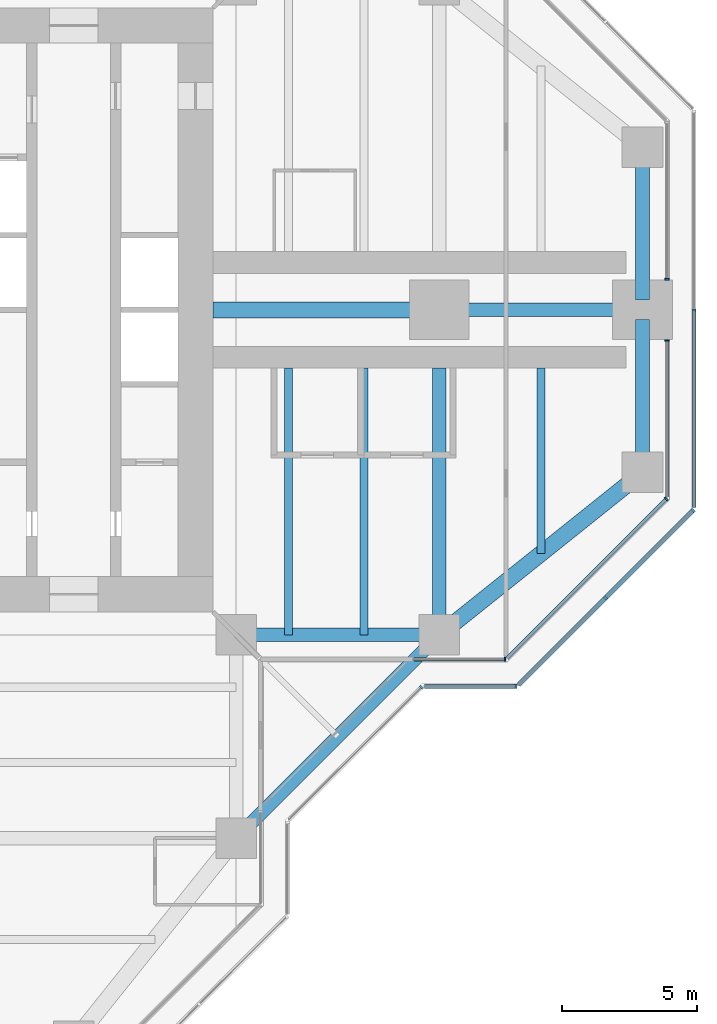
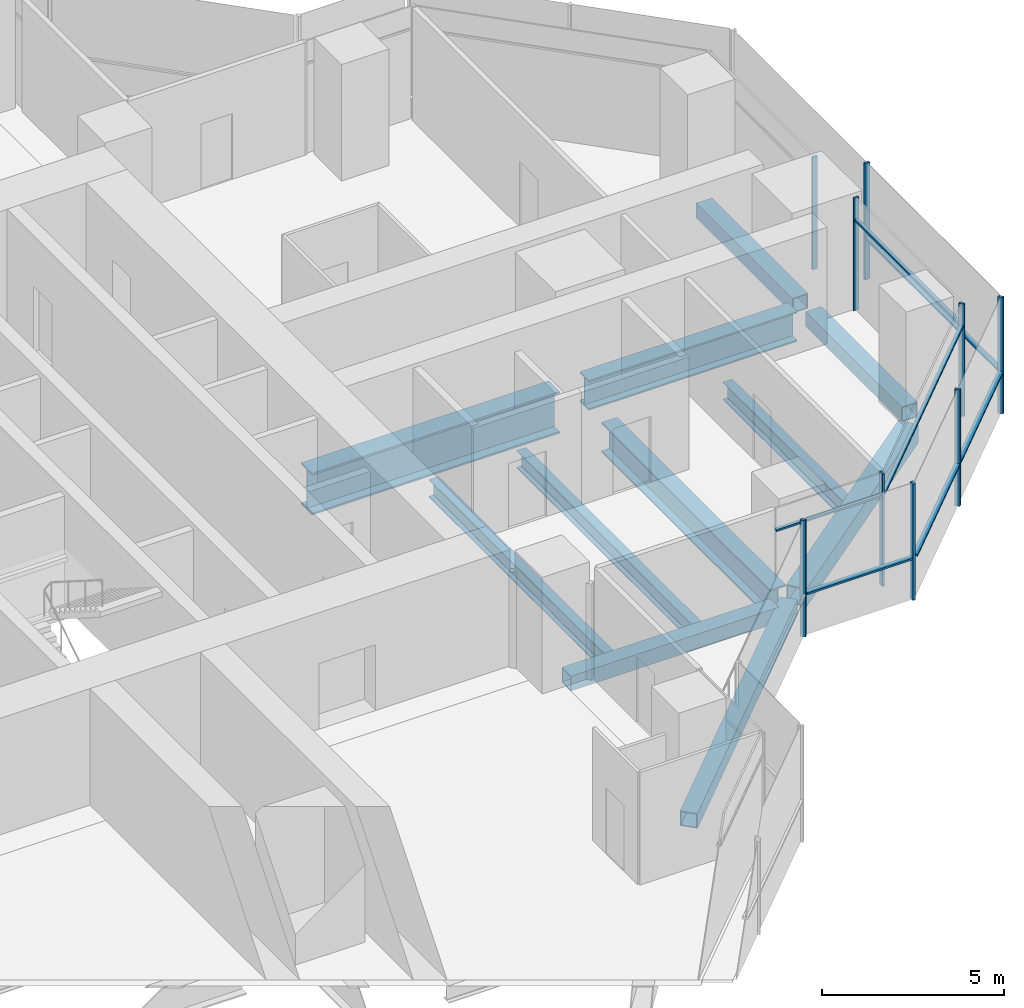
# One storey, part 5 of 17: 16 members, 11 beams, 8 elements without a shape of their own.
"""IFC4 building model written with IfcOpenShell, lengths in metres."""

from ifc_helpers import new_model, si_unit, direction, frame, origin, origin_2d, place, context, subcontext, project, spatial, rectangle, hollow_rectangle, i_section, extrude, material, material_profile, profile_set, type_object, element, aggregate, save


model = new_model("IFC4")

# Units and contexts
model_context = context("Model", 3, precision=1e-05, world=origin(), true_north=direction((0.0, 1.0)))
body_context = subcontext(model_context, "Body", "Model", "MODEL_VIEW")
ifc_project = project(units=[si_unit("LENGTHUNIT", "METRE"), si_unit("AREAUNIT", "SQUARE_METRE"), si_unit("VOLUMEUNIT", "CUBIC_METRE"), si_unit("PLANEANGLEUNIT", "RADIAN"), si_unit("MASSUNIT", "GRAM", prefix="KILO")], contexts=[model_context])

# Site, building, storey
site_placement = place(None, origin())
site = spatial("IfcSite", under=ifc_project, at=site_placement, CompositionType="ELEMENT")
building_placement = place(site_placement, origin())
building = spatial("IfcBuilding", under=site, at=building_placement, Name="Mizan Broadcast Tower", CompositionType="ELEMENT")
storey_placement = place(building_placement, frame((0.0, 0.0, 232.199951171875)))
storey = spatial("IfcBuildingStorey", under=building, at=storey_placement, Name="L54", CompositionType="ELEMENT", Elevation=232.199951171875)

# Beams
ifc_material_1 = material(Name="Steel S355", Category="steel")
ifc_material_profile_1 = material_profile(ifc_material_1, hollow_rectangle(XDim=0.5, YDim=0.5, WallThickness=0.030029296875, at=origin_2d()), Name="BOX 500x500x30")
ifc_profile_set_1 = profile_set([ifc_material_profile_1], Name="Steel S355")
beam_type_1 = type_object("IfcBeamType", Name="EDGE BEAM BOX 500x500x30", PredefinedType="SPANDREL", material=ifc_profile_set_1)
beam_1_placement = place(storey_placement, frame((12.449951171875, -12.0, -0.3798828125), z_axis=(1.0, 0.0, 0.0), x_axis=(0.0, 1.0, 0.0)))
element("IfcBeam", 1, at=beam_1_placement, inside=storey, type_object=beam_type_1, Name="Edge beam BOX 500x500x30 L54 east arm", PredefinedType="SPANDREL", context=body_context, shape_type="SweptSolid", body=[
    extrude(hollow_rectangle(XDim=0.5, YDim=0.5, WallThickness=0.030029296875, at=origin_2d()), origin(), (0.0, 0.0, 1.0), 6.60009765625),
])
for number, where, z_axis, x_axis, name in (
    (2, (27.0, -5.639892578125, -0.3798828125), (0.0, 1.0, 0.0), (-1.0, 0.0, 0.0), "Edge beam BOX 500x500x30 L54 east arm"),
    (3, (27.0, 5.639892578125, -0.3798828125), (0.0, -1.0, 0.0), (1.0, 0.0, 0.0), "Edge beam BOX 500x500x30 L54 east arm"),
):
    element("IfcBeam", number, at=place(storey_placement, frame(where, z_axis=z_axis, x_axis=x_axis)), inside=storey, type_object=beam_type_1, Name=name, PredefinedType="SPANDREL", context=body_context, shape_type="SweptSolid", body=[
        extrude(hollow_rectangle(XDim=0.5, YDim=0.5, WallThickness=0.030029296875, at=origin_2d()), origin(), (0.0, 0.0, 1.0), 5.27978515625),
    ])
beam_2_placement = place(storey_placement, frame((12.0, -19.5, -0.3798828125), z_axis=(0.707106781187, 0.707106781187, 0.0), x_axis=(-0.707106781187, 0.707106781187, 0.0)))
element("IfcBeam", 4, at=beam_2_placement, inside=storey, type_object=beam_type_1, Name="Winter garden edge beam L54 S", PredefinedType="SPANDREL", context=body_context, shape_type="SweptSolid", body=[
    extrude(hollow_rectangle(XDim=0.5, YDim=0.5, WallThickness=0.030029296875, at=origin_2d()), origin(), (0.0, 0.0, 1.0), 10.606689453125),
])
ifc_material_2 = material(Name="Steel S355", Category="steel")
ifc_material_profile_2 = material_profile(ifc_material_2, hollow_rectangle(XDim=0.60009765625, YDim=0.60009765625, WallThickness=0.030029296875, at=origin_2d()), Name="BOX 600x600x30")
ifc_profile_set_2 = profile_set([ifc_material_profile_2], Name="Steel S355")
beam_type_2 = type_object("IfcBeamType", Name="EDGE BEAM BOX 600x600x30", PredefinedType="SPANDREL", material=ifc_profile_set_2)
beam_3_placement = place(storey_placement, frame((19.949951171875, -11.639892578125, -0.429931640625), z_axis=(0.780885717636, 0.624673911726, 0.0), x_axis=(-0.624673911726, 0.780885717636, 0.0)))
element("IfcBeam", 5, at=beam_3_placement, inside=storey, type_object=beam_type_2, Name="Edge beam BOX 600x600x30 L54 east arm", PredefinedType="SPANDREL", context=body_context, shape_type="SweptSolid", body=[
    extrude(hollow_rectangle(XDim=0.60009765625, YDim=0.60009765625, WallThickness=0.030029296875, at=origin_2d()), origin(), (0.0, 0.0, 1.0), 8.4521484375),
])
ifc_material_3 = material(Name="Steel S460", Category="steel")
ifc_material_profile_3 = material_profile(ifc_material_3, i_section(OverallWidth=0.5, OverallDepth=1.0, WebThickness=0.02490234375, FlangeThickness=0.050048828125, at=origin_2d()), Name="WPG 1000x500")
ifc_profile_set_3 = profile_set([ifc_material_profile_3], Name="Steel S460")
beam_type_3 = type_object("IfcBeamType", Name="GIRDER WPG 1000x500", PredefinedType="BEAM", material=ifc_profile_set_3)
beam_4_placement = place(storey_placement, frame((19.949951171875, 0.0, -0.6298828125), z_axis=(1.0, 0.0, 0.0), x_axis=(0.0, 1.0, 0.0)))
element("IfcBeam", 6, at=beam_4_placement, inside=storey, type_object=beam_type_3, Name="Girder WPG 1000x500 L54 east arm", PredefinedType="BEAM", context=body_context, shape_type="SweptSolid", body=[
    extrude(i_section(OverallWidth=0.5, OverallDepth=1.0, WebThickness=0.02490234375, FlangeThickness=0.050048828125, at=origin_2d()), origin(), (0.0, 0.0, 1.0), 6.60009765625),
])
beam_5_placement = place(storey_placement, frame((19.5, -11.408935546875, -0.6298828125), z_axis=(0.0, 1.0, 0.0), x_axis=(-1.0, 0.0, 0.0)))
element("IfcBeam", 7, at=beam_5_placement, inside=storey, type_object=beam_type_3, Name="Girder WPG 1000x500 L54 east arm", PredefinedType="BEAM", context=body_context, shape_type="SweptSolid", body=[
    extrude(i_section(OverallWidth=0.5, OverallDepth=1.0, WebThickness=0.02490234375, FlangeThickness=0.050048828125, at=origin_2d()), origin(), (0.0, 0.0, 1.0), 9.259033203125),
])
ifc_material_4 = material(Name="Steel S460", Category="steel")
ifc_material_profile_4 = material_profile(ifc_material_4, i_section(OverallWidth=0.60009765625, OverallDepth=1.39990234375, WebThickness=0.02490234375, FlangeThickness=0.06005859375, at=origin_2d()), Name="WPG 1400x600")
ifc_profile_set_4 = profile_set([ifc_material_profile_4], Name="Steel S460")
beam_type_4 = type_object("IfcBeamType", Name="GIRDER WPG 1400x600", PredefinedType="BEAM", material=ifc_profile_set_4)
beam_6_placement = place(storey_placement, frame((11.14990234375, 0.0, -0.829833984375), z_axis=(1.0, 0.0, 0.0), x_axis=(0.0, 1.0, 0.0)))
element("IfcBeam", 8, at=beam_6_placement, inside=storey, type_object=beam_type_4, Name="Girder WPG 1400x600 L54 east arm", PredefinedType="BEAM", context=body_context, shape_type="SweptSolid", body=[
    extrude(i_section(OverallWidth=0.60009765625, OverallDepth=1.39990234375, WebThickness=0.02490234375, FlangeThickness=0.06005859375, at=origin_2d()), origin(), (0.0, 0.0, 1.0), 7.84912109375),
])

# Curtain wall, member
ifc_material_5 = material(Name="Aluminium framed glazing", Category="aluminium")
curtain_wall_type_1 = type_object("IfcCurtainWallType", Name="INNER SKIN HIGH ZONE", PredefinedType="USERDEFINED", material=ifc_material_5)
curtain_wall_1_placement = place(storey_placement, origin())
curtain_wall_1 = element("IfcCurtainWall", 9, at=curtain_wall_1_placement, inside=storey, type_object=curtain_wall_type_1, Name="Inner skin high zone L54 E side", ObjectType="INNER SKIN HIGH ZONE", PredefinedType="USERDEFINED")
ifc_material_6 = material(Name="Aluminium, pale anodised", Category="aluminium")
ifc_material_profile_5 = material_profile(ifc_material_6, rectangle(XDim=0.159912109375, YDim=0.06005859375, at=origin_2d()), Name="MULLION 160x60")
ifc_profile_set_5 = profile_set([ifc_material_profile_5], Name="Aluminium, pale anodised")
member_type_1 = type_object("IfcMemberType", Name="INNER SKIN MULLION 60x160", PredefinedType="MULLION", material=ifc_profile_set_5)
member_1_placement = place(storey_placement, frame((21.928466796875, -12.89990234375, 0.0), z_axis=(0.0, 0.0, 1.0), x_axis=(0.0, 1.0, 0.0)))
member_1 = element("IfcMember", 10, at=member_1_placement, type_object=member_type_1, Name="Inner skin high zone L54 E side mullion 2", PredefinedType="MULLION", context=body_context, shape_type="SweptSolid", body=[
    extrude(rectangle(XDim=0.159912109375, YDim=0.06005859375, at=origin_2d()), origin(), (0.0, 0.0, 1.0), 3.77001953125),
])

curtain_wall_2_placement = place(storey_placement, origin())
curtain_wall_2 = element("IfcCurtainWall", 11, at=curtain_wall_2_placement, inside=storey, type_object=curtain_wall_type_1, Name="Inner skin high zone L54 E chamfer", ObjectType="INNER SKIN HIGH ZONE", PredefinedType="USERDEFINED")
member_2_placement = place(storey_placement, frame((27.87890625, -6.979736328125, 0.0), z_axis=(0.0, 0.0, 1.0), x_axis=(-0.707106781187, 0.707106781187, 0.0)))
member_2 = element("IfcMember", 12, at=member_2_placement, type_object=member_type_1, Name="Inner skin high zone L54 E chamfer mullion 2", PredefinedType="MULLION", context=body_context, shape_type="SweptSolid", body=[
    extrude(rectangle(XDim=0.159912109375, YDim=0.06005859375, at=origin_2d()), origin(), (0.0, 0.0, 1.0), 3.77001953125),
])

curtain_wall_3_placement = place(storey_placement, origin())
curtain_wall_3 = element("IfcCurtainWall", 13, at=curtain_wall_3_placement, inside=storey, type_object=curtain_wall_type_1, Name="Inner skin high zone L54 E end", ObjectType="INNER SKIN HIGH ZONE", PredefinedType="USERDEFINED")
member_3_placement = place(storey_placement, frame((27.89990234375, -1.1298828125, 0.0), z_axis=(0.0, 0.0, 1.0), x_axis=(-1.0, 0.0, 0.0)))
member_3 = element("IfcMember", 14, at=member_3_placement, type_object=member_type_1, Name="Inner skin high zone L54 E end mullion 2", PredefinedType="MULLION", context=body_context, shape_type="SweptSolid", body=[
    extrude(rectangle(XDim=0.159912109375, YDim=0.06005859375, at=origin_2d()), origin(), (0.0, 0.0, 1.0), 3.77001953125),
])

curtain_wall_4_placement = place(storey_placement, origin())
curtain_wall_4 = element("IfcCurtainWall", 15, at=curtain_wall_4_placement, inside=storey, type_object=curtain_wall_type_1, Name="Inner skin high zone L54 E end", ObjectType="INNER SKIN HIGH ZONE", PredefinedType="USERDEFINED")
member_4_placement = place(storey_placement, frame((27.89990234375, 1.1298828125, 0.0), z_axis=(0.0, 0.0, 1.0), x_axis=(-1.0, 0.0, 0.0)))
member_4 = element("IfcMember", 16, at=member_4_placement, type_object=member_type_1, Name="Inner skin high zone L54 E end mullion 1", PredefinedType="MULLION", context=body_context, shape_type="SweptSolid", body=[
    extrude(rectangle(XDim=0.159912109375, YDim=0.06005859375, at=origin_2d()), origin(), (0.0, 0.0, 1.0), 3.77001953125),
])
aggregate(curtain_wall_4, [member_4])

# Member
ifc_material_7 = material(Name="Aluminium, pale anodised", Category="aluminium")
ifc_material_profile_6 = material_profile(ifc_material_7, rectangle(XDim=0.1201171875, YDim=0.06005859375, at=origin_2d()), Name="TRANSOM 120x60")
ifc_profile_set_6 = profile_set([ifc_material_profile_6], Name="Aluminium, pale anodised")
member_type_2 = type_object("IfcMemberType", Name="INNER SKIN TRANSOM 60x120", PredefinedType="USERDEFINED", material=ifc_profile_set_6)
member_5_placement = place(storey_placement, frame((18.56005859375, -12.89990234375, 3.030029296875), z_axis=(1.0, 0.0, 0.0), x_axis=(0.0, 1.0, 0.0)))
member_5 = element("IfcMember", 17, at=member_5_placement, type_object=member_type_2, Name="Inner skin high zone L54 E side transom 1.1", ObjectType="TRANSOM", PredefinedType="USERDEFINED", context=body_context, shape_type="SweptSolid", body=[
    extrude(rectangle(XDim=0.1201171875, YDim=0.06005859375, at=origin_2d()), origin(), (0.0, 0.0, 1.0), 3.338623046875),
])

aggregate(curtain_wall_1, [member_1, member_5])

member_6_placement = place(storey_placement, frame((22.0009765625, -12.857666015625, 3.030029296875), z_axis=(0.707106781187, 0.707106781187, 0.0), x_axis=(-0.707106781187, 0.707106781187, 0.0)))
member_6 = element("IfcMember", 18, at=member_6_placement, type_object=member_type_2, Name="Inner skin high zone L54 E chamfer transom 1.1", ObjectType="TRANSOM", PredefinedType="USERDEFINED", context=body_context, shape_type="SweptSolid", body=[
    extrude(rectangle(XDim=0.1201171875, YDim=0.06005859375, at=origin_2d()), origin(), (0.0, 0.0, 1.0), 8.28271484375),
])

aggregate(curtain_wall_2, [member_2, member_6])

member_7_placement = place(storey_placement, frame((27.89990234375, -6.898681640625, 3.030029296875), z_axis=(0.0, 1.0, 0.0), x_axis=(-1.0, 0.0, 0.0)))
member_7 = element("IfcMember", 19, at=member_7_placement, type_object=member_type_2, Name="Inner skin high zone L54 E end transom 1.1", ObjectType="TRANSOM", PredefinedType="USERDEFINED", context=body_context, shape_type="SweptSolid", body=[
    extrude(rectangle(XDim=0.1201171875, YDim=0.06005859375, at=origin_2d()), origin(), (0.0, 0.0, 1.0), 5.73876953125),
])

aggregate(curtain_wall_3, [member_3, member_7])

# Curtain wall, members
ifc_material_8 = material(Name="Aluminium framed glazing", Category="aluminium")
curtain_wall_type_2 = type_object("IfcCurtainWallType", Name="OUTER SKIN", PredefinedType="USERDEFINED", material=ifc_material_8)
curtain_wall_5_placement = place(storey_placement, origin())
curtain_wall_5 = element("IfcCurtainWall", 20, at=curtain_wall_5_placement, inside=storey, type_object=curtain_wall_type_2, Name="Outer skin L54 E chamfer", ObjectType="OUTER SKIN", PredefinedType="USERDEFINED")
ifc_material_9 = material(Name="Aluminium, pale anodised", Category="aluminium")
ifc_material_profile_7 = material_profile(ifc_material_9, rectangle(XDim=0.159912109375, YDim=0.080078125, at=origin_2d()), Name="MULLION 160x80")
ifc_profile_set_7 = profile_set([ifc_material_profile_7], Name="Aluminium, pale anodised")
member_type_3 = type_object("IfcMemberType", Name="OUTER SKIN MULLION 80x160", PredefinedType="MULLION", material=ifc_profile_set_7)
member_8_placement = place(storey_placement, frame((25.636474609375, -10.636474609375, 0.0), z_axis=(0.0, 0.0, 1.0), x_axis=(-0.707106781187, 0.707106781187, 0.0)))
member_8 = element("IfcMember", 21, at=member_8_placement, type_object=member_type_3, Name="Outer skin L54 E chamfer mullion 2", PredefinedType="MULLION", context=body_context, shape_type="SweptSolid", body=[
    extrude(rectangle(XDim=0.159912109375, YDim=0.080078125, at=origin_2d()), origin(), (0.0, 0.0, 1.0), 3.900146484375),
])
member_9_placement = place(storey_placement, frame((28.871826171875, -7.401123046875, 0.0), z_axis=(0.0, 0.0, 1.0), x_axis=(-0.707106781187, 0.707106781187, 0.0)))
member_9 = element("IfcMember", 22, at=member_9_placement, type_object=member_type_3, Name="Outer skin L54 E chamfer mullion 3", PredefinedType="MULLION", context=body_context, shape_type="SweptSolid", body=[
    extrude(rectangle(XDim=0.159912109375, YDim=0.080078125, at=origin_2d()), origin(), (0.0, 0.0, 1.0), 3.900146484375),
])

# Curtain wall, member
curtain_wall_6_placement = place(storey_placement, origin())
curtain_wall_6 = element("IfcCurtainWall", 23, at=curtain_wall_6_placement, inside=storey, type_object=curtain_wall_type_2, Name="Outer skin L54 E end", ObjectType="OUTER SKIN", PredefinedType="USERDEFINED")
member_10_placement = place(storey_placement, frame((28.89990234375, 0.0, 0.0), z_axis=(0.0, 0.0, 1.0), x_axis=(-1.0, 0.0, 0.0)))
member_10 = element("IfcMember", 24, at=member_10_placement, type_object=member_type_3, Name="Outer skin L54 E end mullion 2", PredefinedType="MULLION", context=body_context, shape_type="SweptSolid", body=[
    extrude(rectangle(XDim=0.159912109375, YDim=0.080078125, at=origin_2d()), origin(), (0.0, 0.0, 1.0), 3.900146484375),
])

curtain_wall_7_placement = place(storey_placement, origin())
curtain_wall_7 = element("IfcCurtainWall", 25, at=curtain_wall_7_placement, inside=storey, type_object=curtain_wall_type_2, Name="Outer skin L54 E chamfer", ObjectType="OUTER SKIN", PredefinedType="USERDEFINED")
member_11_placement = place(storey_placement, frame((18.844482421875, -13.92822265625, 0.0), z_axis=(0.0, 0.0, 1.0), x_axis=(-0.707106781187, 0.707106781187, 0.0)))
member_11 = element("IfcMember", 26, at=member_11_placement, type_object=member_type_3, Name="Outer skin L54 E chamfer mullion 2", PredefinedType="MULLION", context=body_context, shape_type="SweptSolid", body=[
    extrude(rectangle(XDim=0.159912109375, YDim=0.080078125, at=origin_2d()), origin(), (0.0, 0.0, 1.0), 3.900146484375),
])
aggregate(curtain_wall_7, [member_11])

curtain_wall_8_placement = place(storey_placement, origin())
curtain_wall_8 = element("IfcCurtainWall", 27, at=curtain_wall_8_placement, inside=storey, type_object=curtain_wall_type_2, Name="Outer skin L54 E side", ObjectType="OUTER SKIN", PredefinedType="USERDEFINED")
member_12_placement = place(storey_placement, frame((22.332763671875, -13.89990234375, 0.0), z_axis=(0.0, 0.0, 1.0), x_axis=(0.0, 1.0, 0.0)))
member_12 = element("IfcMember", 28, at=member_12_placement, type_object=member_type_3, Name="Outer skin L54 E side mullion 2", PredefinedType="MULLION", context=body_context, shape_type="SweptSolid", body=[
    extrude(rectangle(XDim=0.159912109375, YDim=0.080078125, at=origin_2d()), origin(), (0.0, 0.0, 1.0), 3.900146484375),
])

# Member
ifc_material_10 = material(Name="Aluminium, pale anodised", Category="aluminium")
ifc_material_profile_8 = material_profile(ifc_material_10, rectangle(XDim=0.159912109375, YDim=0.06005859375, at=origin_2d()), Name="TRANSOM 160x60")
ifc_profile_set_8 = profile_set([ifc_material_profile_8], Name="Aluminium, pale anodised")
member_type_4 = type_object("IfcMemberType", Name="OUTER SKIN TRANSOM 60x160", PredefinedType="USERDEFINED", material=ifc_profile_set_8)
member_13_placement = place(storey_placement, frame((22.429443359375, -13.843505859375, 1.400146484375), z_axis=(0.707106781187, 0.707106781187, 0.0), x_axis=(-0.707106781187, 0.707106781187, 0.0)))
member_13 = element("IfcMember", 29, at=member_13_placement, type_object=member_type_4, Name="Outer skin L54 E chamfer transom 1.1", ObjectType="TRANSOM", PredefinedType="USERDEFINED", context=body_context, shape_type="SweptSolid", body=[
    extrude(rectangle(XDim=0.159912109375, YDim=0.06005859375, at=origin_2d()), origin(), (0.0, 0.0, 1.0), 4.495361328125),
])

member_14_placement = place(storey_placement, frame((25.664794921875, -10.608154296875, 1.400146484375), z_axis=(0.707106781187, 0.707106781187, 0.0), x_axis=(-0.707106781187, 0.707106781187, 0.0)))
member_14 = element("IfcMember", 30, at=member_14_placement, type_object=member_type_4, Name="Outer skin L54 E chamfer transom 2.1", ObjectType="TRANSOM", PredefinedType="USERDEFINED", context=body_context, shape_type="SweptSolid", body=[
    extrude(rectangle(XDim=0.159912109375, YDim=0.06005859375, at=origin_2d()), origin(), (0.0, 0.0, 1.0), 4.495361328125),
])

aggregate(curtain_wall_5, [member_8, member_9, member_13, member_14])

member_15_placement = place(storey_placement, frame((28.89990234375, -7.292724609375, 1.400146484375), z_axis=(0.0, 1.0, 0.0), x_axis=(-1.0, 0.0, 0.0)))
member_15 = element("IfcMember", 31, at=member_15_placement, type_object=member_type_4, Name="Outer skin L54 E end transom 1.1", ObjectType="TRANSOM", PredefinedType="USERDEFINED", context=body_context, shape_type="SweptSolid", body=[
    extrude(rectangle(XDim=0.159912109375, YDim=0.06005859375, at=origin_2d()), origin(), (0.0, 0.0, 1.0), 7.252685546875),
])

aggregate(curtain_wall_6, [member_10, member_15])

member_16_placement = place(storey_placement, frame((18.952880859375, -13.89990234375, 1.400146484375), z_axis=(1.0, 0.0, 0.0), x_axis=(0.0, 1.0, 0.0)))
member_16 = element("IfcMember", 32, at=member_16_placement, type_object=member_type_4, Name="Outer skin L54 E side transom 1.1", ObjectType="TRANSOM", PredefinedType="USERDEFINED", context=body_context, shape_type="SweptSolid", body=[
    extrude(rectangle(XDim=0.159912109375, YDim=0.06005859375, at=origin_2d()), origin(), (0.0, 0.0, 1.0), 3.33984375),
])

aggregate(curtain_wall_8, [member_12, member_16])

# Beams
ifc_material_11 = material(Name="Steel S355", Category="steel")
ifc_material_profile_9 = material_profile(ifc_material_11, i_section(OverallWidth=0.300048828125, OverallDepth=0.590087890625, WebThickness=0.012939453125, FlangeThickness=0.02490234375, FilletRadius=0.027099609375, at=origin_2d()), Name="HEA 600")
ifc_profile_set_9 = profile_set([ifc_material_profile_9], Name="Steel S355")
beam_type_5 = type_object("IfcBeamType", Name="SECONDARY BEAM HEA 600", PredefinedType="JOIST", material=ifc_profile_set_9)
for number, where, z_axis, x_axis, name in (
    (33, (13.933349609375, -12.0, -0.425048828125), (0.0, 1.0, 0.0), (-1.0, 0.0, 0.0), "Secondary beam HEA 600 L54 east arm"),
    (34, (16.716552734375, -12.0, -0.425048828125), (0.0, 1.0, 0.0), (-1.0, 0.0, 0.0), "Secondary beam HEA 600 L54 east arm"),
):
    element("IfcBeam", number, at=place(storey_placement, frame(where, z_axis=z_axis, x_axis=x_axis)), inside=storey, type_object=beam_type_5, Name=name, PredefinedType="JOIST", context=body_context, shape_type="SweptSolid", body=[
        extrude(i_section(OverallWidth=0.300048828125, OverallDepth=0.590087890625, WebThickness=0.012939453125, FlangeThickness=0.02490234375, FilletRadius=0.027099609375, at=origin_2d()), origin(), (0.0, 0.0, 1.0), 9.85009765625),
    ])
beam_7_placement = place(storey_placement, frame((23.25, -9.0, -0.425048828125), z_axis=(0.0, 1.0, 0.0), x_axis=(-1.0, 0.0, 0.0)))
element("IfcBeam", 35, at=beam_7_placement, inside=storey, type_object=beam_type_5, Name="Secondary beam HEA 600 L54 east arm", PredefinedType="JOIST", context=body_context, shape_type="SweptSolid", body=[
    extrude(i_section(OverallWidth=0.300048828125, OverallDepth=0.590087890625, WebThickness=0.012939453125, FlangeThickness=0.02490234375, FilletRadius=0.027099609375, at=origin_2d()), origin(), (0.0, 0.0, 1.0), 6.85009765625),
])

save(model, "model.ifc")
